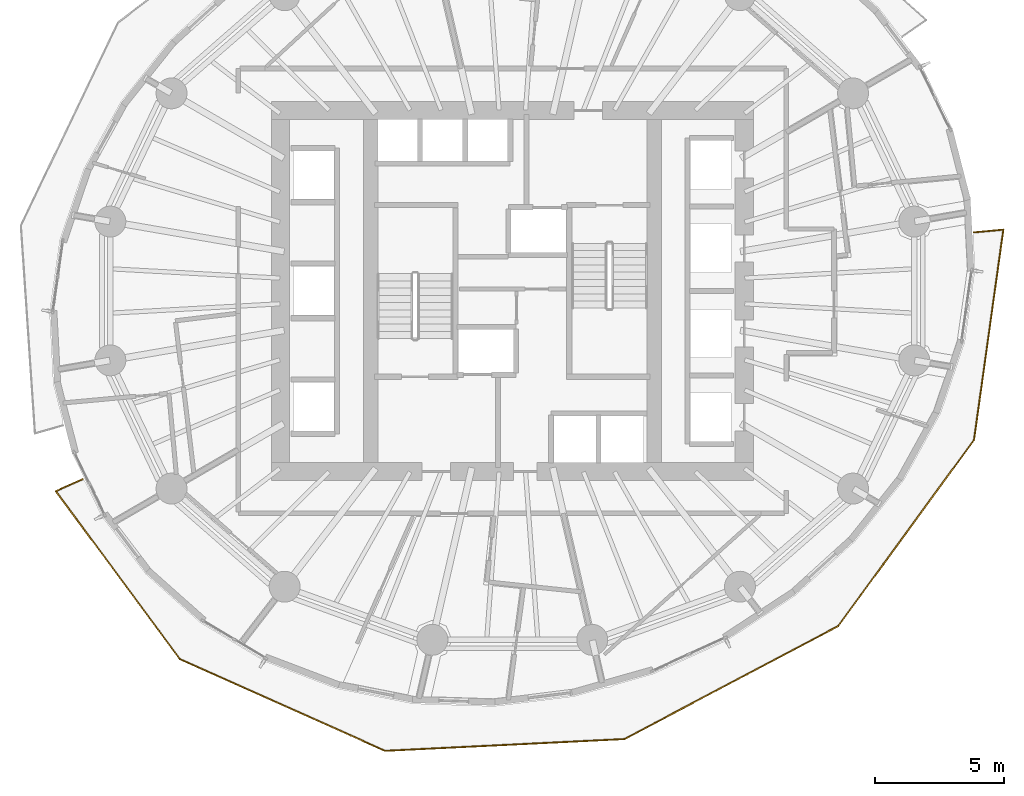
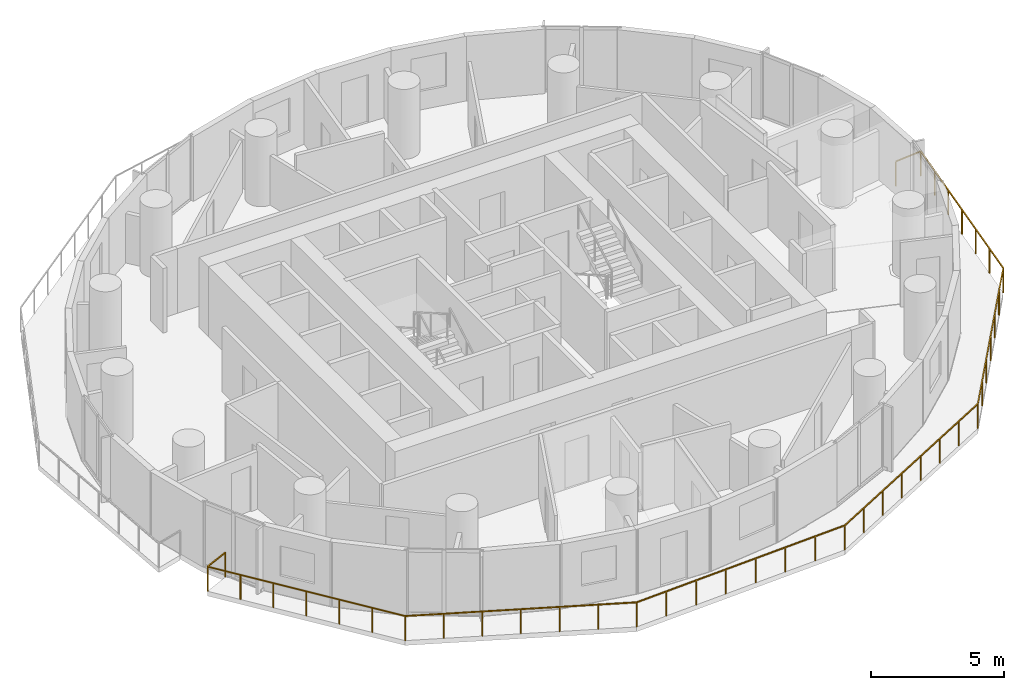
# One storey, part 12 of 14: 1 railing.
"""IFC4 building model written with IfcOpenShell, lengths in metres."""

import ifcopenshell
import ifcopenshell.guid

model = None  # the IFC model being written
_history = None  # IfcOwnerHistory: only IFC2X3 demands one
_inside = {}  # id of a spatial element -> (the spatial element, [elements in it])
_under = {}  # id of a project, library or spatial element -> (it, [spatial elements below it])
_declared = {}  # id of a project -> (the project, [libraries it declares])
_typed = {}  # id of a type object -> (the type object, [elements of that type])
_made_of = {}  # id of a material, layer set ... -> (it, [elements and type objects made of it])


def new_model(schema):
    """Start an empty IFC model of exactly this schema.

    Asked for "IFC4X3", IfcOpenShell would pick the latest addendum, in which some entities
    have other attributes; the version numbers below select the first issue.
    IFC2X3 requires an IfcOwnerHistory on every rooted entity: one is made here for all.
    """
    global model, _history
    if schema == "IFC4X3":
        model = ifcopenshell.file(schema_version=(4, 3, 0, 0))
    else:
        model = ifcopenshell.file(schema=schema)
    _inside.clear()
    _under.clear()
    _declared.clear()
    _typed.clear()
    _made_of.clear()
    _history = None
    if model.schema == "IFC2X3":
        org = make("IfcOrganization", Name="unknown")
        user = make(
            "IfcPersonAndOrganization",
            ThePerson=make("IfcPerson", FamilyName="unknown"),
            TheOrganization=org,
        )
        app = make(
            "IfcApplication",
            ApplicationDeveloper=org,
            Version="unknown",
            ApplicationFullName="unknown",
            ApplicationIdentifier="unknown",
        )
        _history = make(
            "IfcOwnerHistory",
            OwningUser=user,
            OwningApplication=app,
            ChangeAction="ADDED",
            CreationDate=0,
        )
    return model


def make(cls, **values):
    """One entity of the class cls with the attributes given. An attribute that is None is left unset."""
    return model.create_entity(
        cls, **{name: value for name, value in values.items() if value is not None}
    )


def rooted(cls, **values):
    """An entity with a GlobalId (a new one), such as an element, a storey or a relation."""
    return make(cls, GlobalId=ifcopenshell.guid.new(), OwnerHistory=_history, **values)


def si_unit(unit_type, name, prefix=None):
    """IfcSIUnit, for example si_unit("LENGTHUNIT", "METRE", prefix="MILLI")."""
    return make("IfcSIUnit", UnitType=unit_type, Prefix=prefix, Name=name)


def assignment(units):
    """IfcUnitAssignment: the units of a project."""
    return None if units is None else make("IfcUnitAssignment", Units=units)


def point(xyz):
    """IfcCartesianPoint."""
    return None if xyz is None else make("IfcCartesianPoint", Coordinates=xyz)


def direction(xyz):
    """IfcDirection."""
    return None if xyz is None else make("IfcDirection", DirectionRatios=xyz)


def frame(location, z_axis=None, x_axis=None):
    """IfcAxis2Placement3D, a coordinate frame: its origin and axes. An axis left out is left unset."""
    return make(
        "IfcAxis2Placement3D",
        Location=point(location),
        Axis=direction(z_axis),
        RefDirection=direction(x_axis),
    )


def frame_2d(location, x_axis=None):
    """IfcAxis2Placement2D, a coordinate frame in the plane: its origin and x axis."""
    return make(
        "IfcAxis2Placement2D", Location=point(location), RefDirection=direction(x_axis)
    )


def origin():
    """The frame at (0, 0, 0) with its axes left unset."""
    return frame((0.0, 0.0, 0.0))


def origin_2d():
    """The frame at (0, 0) in the plane with its x axis left unset."""
    return frame_2d((0.0, 0.0))


def place(relative_to, where):
    """IfcLocalPlacement: puts the frame where relative to a parent placement (None: the world)."""
    return make(
        "IfcLocalPlacement", PlacementRelTo=relative_to, RelativePlacement=where
    )


def context(
    kind, dimensions, precision=None, world=None, true_north=None, identifier=None
):
    """IfcGeometricRepresentationContext, for example the 3D "Model" context."""
    return make(
        "IfcGeometricRepresentationContext",
        ContextIdentifier=identifier,
        ContextType=kind,
        CoordinateSpaceDimension=dimensions,
        Precision=precision,
        WorldCoordinateSystem=world,
        TrueNorth=true_north,
    )


def subcontext(parent, identifier, kind, view, scale=None):
    """IfcGeometricRepresentationSubContext, for example "Body" below "Model"."""
    return make(
        "IfcGeometricRepresentationSubContext",
        ContextIdentifier=identifier,
        ContextType=kind,
        ParentContext=parent,
        TargetScale=scale,
        TargetView=view,
    )


def project(units=None, contexts=None):
    """IfcProject with its units and contexts."""
    return rooted(
        "IfcProject",
        Name="project",
        RepresentationContexts=contexts,
        UnitsInContext=assignment(units),
    )


def spatial(cls, under=None, at=None, **own):
    """A site, building, storey or space (cls), placed at a placement, below another one or the project."""
    s = rooted(cls, ObjectPlacement=at, **own)
    if under is not None:
        _under.setdefault(under.id(), (under, []))[1].append(s)
    return s


def profile(cls, at=None, kind="AREA", **sizes):
    """A parametric profile (cls). Its sizes go by their IFC names, for example OverallWidth=200.0."""
    return make(cls, ProfileType=kind, Position=at, **sizes)


def rectangle(**sizes):
    """IfcRectangleProfileDef."""
    return profile("IfcRectangleProfileDef", **sizes)


def extrude(swept, where, along, depth):
    """IfcExtrudedAreaSolid: the profile swept, set in the frame where, extruded along a direction by depth."""
    return make(
        "IfcExtrudedAreaSolid",
        SweptArea=swept,
        Position=where,
        ExtrudedDirection=direction(along),
        Depth=depth,
    )


def shape(context_of_items, identifier, shape_type, items):
    """IfcShapeRepresentation: the items that make up one representation, for example the "Body"."""
    return make(
        "IfcShapeRepresentation",
        ContextOfItems=context_of_items,
        RepresentationIdentifier=identifier,
        RepresentationType=shape_type,
        Items=items,
    )


def material(Name=None, Category=None):
    """IfcMaterial."""
    return make("IfcMaterial", Name=Name, Category=Category)


def made_of(thing, what):
    """Note that an element or type object is made of a material, layer set ...; save() writes the relation."""
    if what is not None:
        _made_of.setdefault(what.id(), (what, []))[1].append(thing)
    return thing


def type_object(cls, material=None, **own):
    """A type object (cls), such as IfcWallType, which elements share."""
    return made_of(rooted(cls, **own), material)


def element(
    cls,
    number,
    at=None,
    inside=None,
    cuts=None,
    type_object=None,
    material=None,
    context=None,
    identifier="Body",
    shape_type=None,
    held_by="IfcProductDefinitionShape",
    body=None,
    shapes=None,
    **own,
):
    """One element of the class cls, such as IfcWall. Its Tag is "e" and its number.

    at: its placement. inside: the storey or other place that contains it. cuts: it is an
    opening in that element (IfcRelVoidsElement). A single representation is given by context,
    identifier, shape_type and body (its items); several are given by shapes. held_by: the class
    of the entity that holds the representations. save() writes the other relations.
    """
    e = rooted(cls, Tag="e%d" % number, ObjectPlacement=at, **own)
    if body is not None:
        shapes = [shape(context, identifier, shape_type, body)]
    if shapes is not None:
        e.Representation = make(held_by, Representations=shapes)
    if inside is not None:
        _inside.setdefault(inside.id(), (inside, []))[1].append(e)
    if cuts is not None:
        rooted(
            "IfcRelVoidsElement", RelatingBuildingElement=cuts, RelatedOpeningElement=e
        )
    if type_object is not None:
        _typed.setdefault(type_object.id(), (type_object, []))[1].append(e)
    return made_of(e, material)


def aggregate(whole, parts):
    """IfcRelAggregates: a whole, such as a stair, and the parts it consists of."""
    return rooted("IfcRelAggregates", RelatingObject=whole, RelatedObjects=parts)


def save(model, path):
    """Write the relations noted so far, then the file.

    IfcRelAggregates (storeys below a building ...), IfcRelContainedInSpatialStructure (elements
    in a storey), IfcRelDefinesByType, IfcRelAssociatesMaterial and IfcRelDeclares: one each for
    every whole, place, type object, material and project.
    """
    for whole, parts in _under.values():
        aggregate(whole, parts)
    for where, things in _inside.values():
        rooted(
            "IfcRelContainedInSpatialStructure",
            RelatedElements=things,
            RelatingStructure=where,
        )
    for kind, things in _typed.values():
        rooted("IfcRelDefinesByType", RelatedObjects=things, RelatingType=kind)
    for what, things in _made_of.values():
        rooted("IfcRelAssociatesMaterial", RelatedObjects=things, RelatingMaterial=what)
    for by, libraries in _declared.values():
        rooted("IfcRelDeclares", RelatingContext=by, RelatedDefinitions=libraries)
    model.write(path)


model = new_model("IFC4")

# Units and contexts
model_context = context("Model", 3, precision=1e-05, world=origin(), true_north=direction((0.0, 1.0)))
body_context = subcontext(model_context, "Body", "Model", "MODEL_VIEW")
ifc_project = project(units=[si_unit("LENGTHUNIT", "METRE"), si_unit("AREAUNIT", "SQUARE_METRE"), si_unit("VOLUMEUNIT", "CUBIC_METRE"), si_unit("PLANEANGLEUNIT", "RADIAN"), si_unit("MASSUNIT", "GRAM", prefix="KILO")], contexts=[model_context])

# Site, building, storey
site_placement = place(None, origin())
site = spatial("IfcSite", under=ifc_project, at=site_placement, CompositionType="ELEMENT")
building_placement = place(site_placement, origin())
building = spatial("IfcBuilding", under=site, at=building_placement, Name="Veldorim Arch Residences", CompositionType="ELEMENT")
storey_placement = place(building_placement, frame((0.0, 0.0, 83.679931640625)))
storey = spatial("IfcBuildingStorey", under=building, at=storey_placement, Name="L24", CompositionType="ELEMENT", Elevation=83.679931640625)

# Railing
ifc_material = material(Name="Aluminium", Category="aluminium")
railing_type = type_object("IfcRailingType", Name="Balcony & Terrace Laminated Glass Balustrade 1150", PredefinedType="BALUSTRADE", material=ifc_material)
railing_placement = place(storey_placement, frame((15.339111328125, 16.70263671875, 0.0)))
element("IfcRailing", 1, at=railing_placement, inside=storey, type_object=railing_type, Name="L24 crescent balcony safety balustrade B", PredefinedType="BALUSTRADE", context=body_context, shape_type="SweptSolid", body=[
    extrude(rectangle(XDim=0.048095703125, YDim=0.048095703125, at=origin_2d()), frame((0.0, 0.0, 1.1259765625), z_axis=(-0.912211245707, -0.40972020112, 0.0), x_axis=(0.40972020112, -0.912211245707, 0.0)), (0.0, 0.0, 1.0), 1.150146484375),
    extrude(rectangle(XDim=0.048095703125, YDim=0.048095703125, at=origin_2d()), frame((-1.049072265625, -0.47119140625, 1.1259765625), z_axis=(0.59404062481, -0.804435041551, 0.0), x_axis=(0.804435041551, 0.59404062481, 0.0)), (0.0, 0.0, 1.0), 8.091552734375),
    extrude(rectangle(XDim=0.048095703125, YDim=0.048095703125, at=origin_2d()), frame((3.757568359375, -6.980224609375, 1.1259765625), z_axis=(0.912853349964, -0.408287596504, 0.0), x_axis=(0.408287596504, 0.912853349964, 0.0)), (0.0, 0.0, 1.0), 8.733154296875),
    extrude(rectangle(XDim=0.048095703125, YDim=0.048095703125, at=origin_2d()), frame((11.729736328125, -10.5458984375, 1.1259765625), z_axis=(0.998791272983, 0.049152751828, 0.0), x_axis=(-0.049152751828, 0.998791272983, 0.0)), (0.0, 0.0, 1.0), 9.293212890625),
    extrude(rectangle(XDim=0.048095703125, YDim=0.048095703125, at=origin_2d()), frame((21.01171875, -10.089111328125, 1.1259765625), z_axis=(0.884029523632, 0.467431065877, 0.0), x_axis=(-0.467431065877, 0.884029523632, 0.0)), (0.0, 0.0, 1.0), 9.384765625),
    extrude(rectangle(XDim=0.048095703125, YDim=0.048095703125, at=origin_2d()), frame((29.30810546875, -5.702392578125, 1.1259765625), z_axis=(0.589419934087, 0.807826801549, 0.0), x_axis=(-0.807826801549, 0.589419934087, 0.0)), (0.0, 0.0, 1.0), 8.938232421875),
    extrude(rectangle(XDim=0.048095703125, YDim=0.048095703125, at=origin_2d()), frame((34.576416015625, 1.51806640625, 1.1259765625), z_axis=(0.138201439466, 0.990404140808, 0.0), x_axis=(-0.990404140808, 0.138201439466, 0.0)), (0.0, 0.0, 1.0), 8.2392578125),
    extrude(rectangle(XDim=0.048095703125, YDim=0.048095703125, at=origin_2d()), frame((35.715087890625, 9.67822265625, 1.1259765625), z_axis=(-0.995647779195, -0.093196028799, 0.0), x_axis=(0.093196028799, -0.995647779195, 0.0)), (0.0, 0.0, 1.0), 1.150146484375),
    extrude(rectangle(XDim=0.0419921875, YDim=0.0419921875, at=origin_2d()), origin(), (0.0, 0.0, 1.0), 1.101806640625),
    extrude(rectangle(XDim=0.0419921875, YDim=0.0419921875, at=origin_2d()), frame((-1.049072265625, -0.47119140625, 0.0)), (0.0, 0.0, 1.0), 1.101806640625),
    extrude(rectangle(XDim=0.0419921875, YDim=0.0419921875, at=origin_2d()), frame((-0.248046875, -1.55615234375, 0.0)), (0.0, 0.0, 1.0), 1.101806640625),
    extrude(rectangle(XDim=0.0419921875, YDim=0.0419921875, at=origin_2d()), frame((0.55322265625, -2.640869140625, 0.0)), (0.0, 0.0, 1.0), 1.101806640625),
    extrude(rectangle(XDim=0.0419921875, YDim=0.0419921875, at=origin_2d()), frame((1.354248046875, -3.7255859375, 0.0)), (0.0, 0.0, 1.0), 1.101806640625),
    extrude(rectangle(XDim=0.0419921875, YDim=0.0419921875, at=origin_2d()), frame((2.1552734375, -4.810546875, 0.0)), (0.0, 0.0, 1.0), 1.101806640625),
    extrude(rectangle(XDim=0.0419921875, YDim=0.0419921875, at=origin_2d()), frame((2.95654296875, -5.8955078125, 0.0)), (0.0, 0.0, 1.0), 1.101806640625),
    extrude(rectangle(XDim=0.0419921875, YDim=0.0419921875, at=origin_2d()), frame((3.757568359375, -6.980224609375, 0.0)), (0.0, 0.0, 1.0), 1.101806640625),
    extrude(rectangle(XDim=0.0419921875, YDim=0.0419921875, at=origin_2d()), frame((5.086181640625, -7.574462890625, 0.0)), (0.0, 0.0, 1.0), 1.101806640625),
    extrude(rectangle(XDim=0.0419921875, YDim=0.0419921875, at=origin_2d()), frame((6.4150390625, -8.168701171875, 0.0)), (0.0, 0.0, 1.0), 1.101806640625),
    extrude(rectangle(XDim=0.0419921875, YDim=0.0419921875, at=origin_2d()), frame((7.74365234375, -8.76318359375, 0.0)), (0.0, 0.0, 1.0), 1.101806640625),
    extrude(rectangle(XDim=0.0419921875, YDim=0.0419921875, at=origin_2d()), frame((9.072265625, -9.357421875, 0.0)), (0.0, 0.0, 1.0), 1.101806640625),
    extrude(rectangle(XDim=0.0419921875, YDim=0.0419921875, at=origin_2d()), frame((10.401123046875, -9.95166015625, 0.0)), (0.0, 0.0, 1.0), 1.101806640625),
    extrude(rectangle(XDim=0.0419921875, YDim=0.0419921875, at=origin_2d()), frame((11.729736328125, -10.5458984375, 0.0)), (0.0, 0.0, 1.0), 1.101806640625),
    extrude(rectangle(XDim=0.0419921875, YDim=0.0419921875, at=origin_2d()), frame((13.0556640625, -10.480712890625, 0.0)), (0.0, 0.0, 1.0), 1.101806640625),
    extrude(rectangle(XDim=0.0419921875, YDim=0.0419921875, at=origin_2d()), frame((14.3818359375, -10.415283203125, 0.0)), (0.0, 0.0, 1.0), 1.101806640625),
    extrude(rectangle(XDim=0.0419921875, YDim=0.0419921875, at=origin_2d()), frame((15.707763671875, -10.35009765625, 0.0)), (0.0, 0.0, 1.0), 1.101806640625),
    extrude(rectangle(XDim=0.0419921875, YDim=0.0419921875, at=origin_2d()), frame((17.03369140625, -10.284912109375, 0.0)), (0.0, 0.0, 1.0), 1.101806640625),
    extrude(rectangle(XDim=0.0419921875, YDim=0.0419921875, at=origin_2d()), frame((18.359619140625, -10.2197265625, 0.0)), (0.0, 0.0, 1.0), 1.101806640625),
    extrude(rectangle(XDim=0.0419921875, YDim=0.0419921875, at=origin_2d()), frame((19.685791015625, -10.154296875, 0.0)), (0.0, 0.0, 1.0), 1.101806640625),
    extrude(rectangle(XDim=0.0419921875, YDim=0.0419921875, at=origin_2d()), frame((21.01171875, -10.089111328125, 0.0)), (0.0, 0.0, 1.0), 1.101806640625),
    extrude(rectangle(XDim=0.0419921875, YDim=0.0419921875, at=origin_2d()), frame((22.197021484375, -9.46240234375, 0.0)), (0.0, 0.0, 1.0), 1.101806640625),
    extrude(rectangle(XDim=0.0419921875, YDim=0.0419921875, at=origin_2d()), frame((23.382080078125, -8.835693359375, 0.0)), (0.0, 0.0, 1.0), 1.101806640625),
    extrude(rectangle(XDim=0.0419921875, YDim=0.0419921875, at=origin_2d()), frame((24.5673828125, -8.208984375, 0.0)), (0.0, 0.0, 1.0), 1.101806640625),
    extrude(rectangle(XDim=0.0419921875, YDim=0.0419921875, at=origin_2d()), frame((25.75244140625, -7.58251953125, 0.0)), (0.0, 0.0, 1.0), 1.101806640625),
    extrude(rectangle(XDim=0.0419921875, YDim=0.0419921875, at=origin_2d()), frame((26.937744140625, -6.955810546875, 0.0)), (0.0, 0.0, 1.0), 1.101806640625),
    extrude(rectangle(XDim=0.0419921875, YDim=0.0419921875, at=origin_2d()), frame((28.122802734375, -6.3291015625, 0.0)), (0.0, 0.0, 1.0), 1.101806640625),
    extrude(rectangle(XDim=0.0419921875, YDim=0.0419921875, at=origin_2d()), frame((29.30810546875, -5.702392578125, 0.0)), (0.0, 0.0, 1.0), 1.101806640625),
    extrude(rectangle(XDim=0.0419921875, YDim=0.0419921875, at=origin_2d()), frame((30.18603515625, -4.4990234375, 0.0)), (0.0, 0.0, 1.0), 1.101806640625),
    extrude(rectangle(XDim=0.0419921875, YDim=0.0419921875, at=origin_2d()), frame((31.064208984375, -3.295654296875, 0.0)), (0.0, 0.0, 1.0), 1.101806640625),
    extrude(rectangle(XDim=0.0419921875, YDim=0.0419921875, at=origin_2d()), frame((31.9423828125, -2.09228515625, 0.0)), (0.0, 0.0, 1.0), 1.101806640625),
    extrude(rectangle(XDim=0.0419921875, YDim=0.0419921875, at=origin_2d()), frame((32.8203125, -0.888671875, 0.0)), (0.0, 0.0, 1.0), 1.101806640625),
    extrude(rectangle(XDim=0.0419921875, YDim=0.0419921875, at=origin_2d()), frame((33.6982421875, 0.314697265625, 0.0)), (0.0, 0.0, 1.0), 1.101806640625),
    extrude(rectangle(XDim=0.0419921875, YDim=0.0419921875, at=origin_2d()), frame((34.576416015625, 1.51806640625, 0.0)), (0.0, 0.0, 1.0), 1.101806640625),
    extrude(rectangle(XDim=0.0419921875, YDim=0.0419921875, at=origin_2d()), frame((34.76611328125, 2.878173828125, 0.0)), (0.0, 0.0, 1.0), 1.101806640625),
    extrude(rectangle(XDim=0.0419921875, YDim=0.0419921875, at=origin_2d()), frame((34.9560546875, 4.238037109375, 0.0)), (0.0, 0.0, 1.0), 1.101806640625),
    extrude(rectangle(XDim=0.0419921875, YDim=0.0419921875, at=origin_2d()), frame((35.145751953125, 5.59814453125, 0.0)), (0.0, 0.0, 1.0), 1.101806640625),
    extrude(rectangle(XDim=0.0419921875, YDim=0.0419921875, at=origin_2d()), frame((35.33544921875, 6.958251953125, 0.0)), (0.0, 0.0, 1.0), 1.101806640625),
    extrude(rectangle(XDim=0.0419921875, YDim=0.0419921875, at=origin_2d()), frame((35.525390625, 8.318115234375, 0.0)), (0.0, 0.0, 1.0), 1.101806640625),
    extrude(rectangle(XDim=0.0419921875, YDim=0.0419921875, at=origin_2d()), frame((35.715087890625, 9.67822265625, 0.0)), (0.0, 0.0, 1.0), 1.101806640625),
    extrude(rectangle(XDim=0.0419921875, YDim=0.0419921875, at=origin_2d()), frame((34.570068359375, 9.571044921875, 0.0)), (0.0, 0.0, 1.0), 1.101806640625),
])

save(model, "model.ifc")
